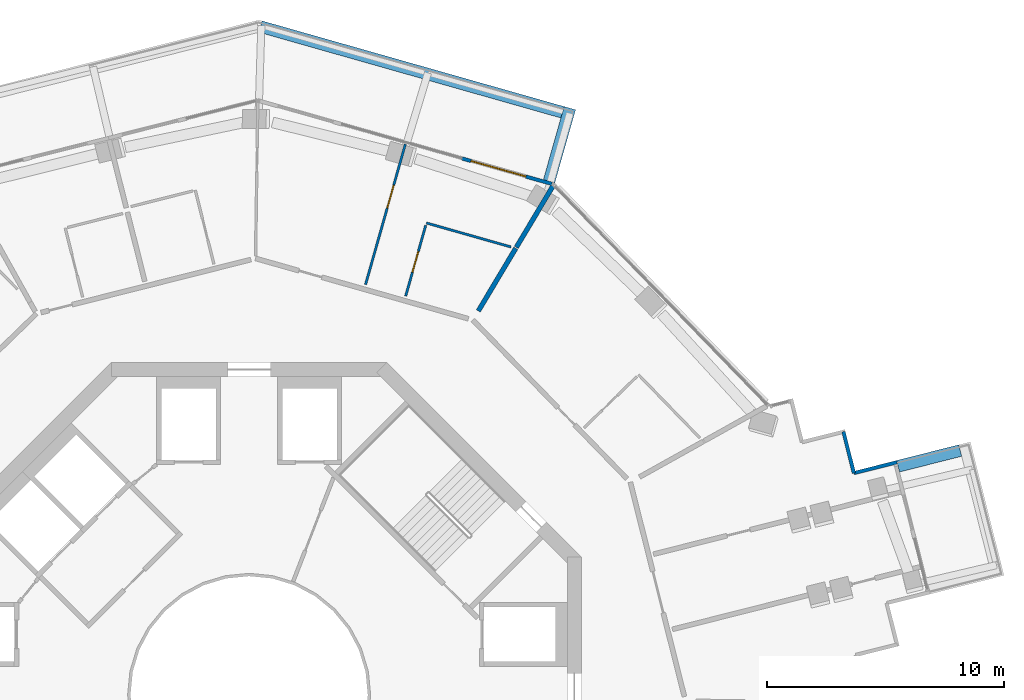
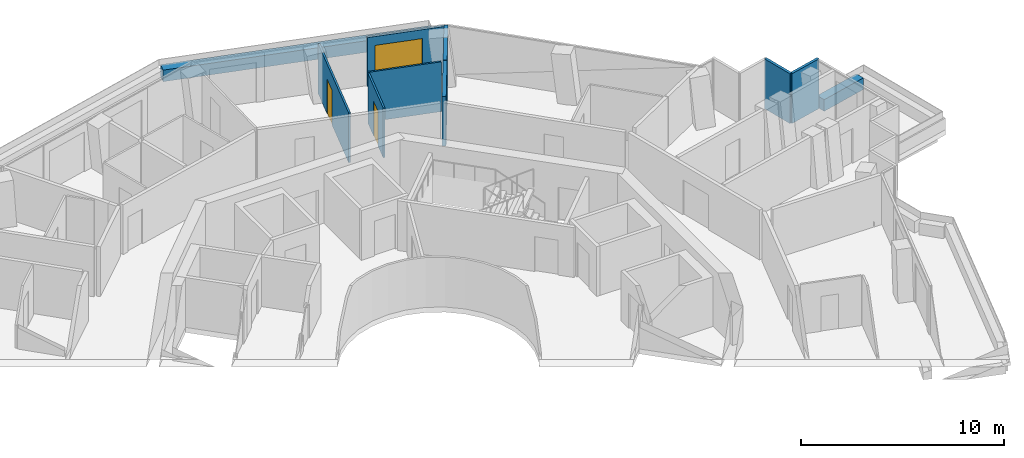
# One storey, part 21 of 24: 11 walls, 3 doors, 3 openings.
"""IFC4 building model written with IfcOpenShell, lengths in metres."""

from ifc_helpers import new_model, si_unit, direction, frame, frame_2d, origin, place, context, subcontext, project, spatial, rectangle, extrude, material, layer, layer_set, type_object, element, fill, save


model = new_model("IFC4")

# Units and contexts
model_context = context("Model", 3, precision=1e-05, world=origin(), true_north=direction((0.0, 1.0)))
body_context = subcontext(model_context, "Body", "Model", "MODEL_VIEW")
ifc_project = project(units=[si_unit("LENGTHUNIT", "METRE"), si_unit("AREAUNIT", "SQUARE_METRE"), si_unit("VOLUMEUNIT", "CUBIC_METRE"), si_unit("PLANEANGLEUNIT", "RADIAN"), si_unit("MASSUNIT", "GRAM", prefix="KILO")], contexts=[model_context])

# Site, building, storey
site_placement = place(None, origin())
site = spatial("IfcSite", under=ifc_project, at=site_placement, CompositionType="ELEMENT")
building_placement = place(site_placement, origin())
building = spatial("IfcBuilding", under=site, at=building_placement, Name="Verdalira Terraces Hotel", CompositionType="ELEMENT")
storey_placement = place(building_placement, frame((0.0, 0.0, 212.5)))
storey = spatial("IfcBuildingStorey", under=building, at=storey_placement, Name="L52", CompositionType="ELEMENT", Elevation=212.5)

# Walls
ifc_material_1 = material(Name="Concrete C40", Category="concrete")
ifc_layer_1 = layer(ifc_material_1, 0.5)
ifc_layer_set_1 = layer_set([ifc_layer_1], Name="Balcony planter trough with tree")
wall_type_1 = type_object("IfcWallType", Name="Balcony planter trough with tree", PredefinedType="SOLIDWALL", material=ifc_layer_set_1)
wall_1_placement = place(storey_placement, frame((29.951172, 10.289551, 0.0), z_axis=(0.0, 0.0, 1.0), x_axis=(-0.969624158, -0.244599657, 0.0)))
element("IfcWall", 1, at=wall_1_placement, inside=storey, type_object=wall_type_1, Name="Balcony planter", PredefinedType="SOLIDWALL", context=body_context, shape_type="SweptSolid", body=[
    extrude(rectangle(XDim=2.698975, YDim=0.5, at=frame_2d((1.349609, 0.0))), origin(), (0.0, 0.0, 1.0), 0.699951),
])
wall_2_placement = place(storey_placement, frame((12.634277, 21.63208, 0.0), z_axis=(0.0, 0.0, 1.0), x_axis=(0.272976962, 0.962020571, 0.0)))
element("IfcWall", 2, at=wall_2_placement, inside=storey, type_object=wall_type_1, Name="Balcony planter", PredefinedType="SOLIDWALL", context=body_context, shape_type="SweptSolid", body=[
    extrude(rectangle(XDim=3.199219, YDim=0.5, at=frame_2d((1.599609, 0.0))), origin(), (0.0, 0.0, 1.0), 0.699951),
])
wall_3_placement = place(storey_placement, frame((13.19873, 24.537354, 0.0), z_axis=(0.0, 0.0, 1.0), x_axis=(-0.962028122, 0.272950348, 0.0)))
element("IfcWall", 3, at=wall_3_placement, inside=storey, type_object=wall_type_1, Name="Balcony planter", PredefinedType="SOLIDWALL", context=body_context, shape_type="SweptSolid", body=[
    extrude(rectangle(XDim=13.223633, YDim=0.5, at=frame_2d((6.611816, 0.0))), origin(), (0.0, 0.0, 1.0), 0.699951),
])

# Wall, opening, door
ifc_material_2 = material(Name="Moisture-resistant gypsum board partition")
ifc_layer_2 = layer(ifc_material_2, 0.10009765625)
ifc_layer_set_2 = layer_set([ifc_layer_2], Name="Bathroom partition 100 mm")
wall_type_2 = type_object("IfcWallType", Name="Bathroom partition 100 mm", PredefinedType="PARTITIONING", material=ifc_layer_set_2)
wall_4_placement = place(storey_placement, frame((6.580322, 23.192871, 0.0), z_axis=(0.0, 0.0, 1.0), x_axis=(-0.272922263, -0.96203609, 0.0)))
wall_4 = element("IfcWall", 4, at=wall_4_placement, inside=storey, type_object=wall_type_2, Name="Bathroom partition", PredefinedType="PARTITIONING", context=body_context, shape_type="SweptSolid", body=[
    extrude(rectangle(XDim=6.149902, YDim=0.100098, at=frame_2d((3.074951, 0.0))), origin(), (0.0, 0.0, 1.0), 3.0),
])
opening_1_placement = place(wall_4_placement, frame((1.800049, 0.0, 0.0)))
opening_1 = element("IfcOpeningElement", 5, at=opening_1_placement, cuts=wall_4, Name="Opening L52-129", PredefinedType="OPENING", context=body_context, shape_type="SweptSolid", body=[
    extrude(rectangle(XDim=1.0, YDim=2.100098, at=frame_2d((0.5, 1.050049))), frame((0.0, 0.060059, 0.0), z_axis=(0.0, -1.0, 0.0), x_axis=(1.0, 0.0, 0.0)), (0.0, 0.0, 1.0), 0.120117),
])
ifc_material_3 = material(Name="Timber door", Category="wood")
door_type_1 = type_object("IfcDoorType", Name="Suite internal door 1000 x 2100", OperationType="NOTDEFINED", PredefinedType="DOOR", material=ifc_material_3)
door_1_placement = place(opening_1_placement, origin())
door_1 = element("IfcDoor", 6, at=door_1_placement, inside=storey, type_object=door_type_1, Name="Suite internal door 5212", OperationType="SINGLE_SWING_LEFT", OverallHeight=2.10009765625, OverallWidth=1.0, PredefinedType="DOOR", context=body_context, shape_type="SweptSolid", body=[
    extrude(rectangle(XDim=1.0, YDim=2.100098, at=frame_2d((0.5, 1.050049))), frame((0.0, 0.024902, 0.0), z_axis=(0.0, -1.0, 0.0), x_axis=(1.0, 0.0, 0.0)), (0.0, 0.0, 1.0), 0.050049),
])
fill(opening_1, door_1)

wall_5_placement = place(storey_placement, frame((7.439453, 19.778809, 0.0), z_axis=(0.0, 0.0, 1.0), x_axis=(-0.272952471, -0.96202752, 0.0)))
wall_5 = element("IfcWall", 7, at=wall_5_placement, inside=storey, type_object=wall_type_2, Name="Bathroom partition", PredefinedType="PARTITIONING", context=body_context, shape_type="SweptSolid", body=[
    extrude(rectangle(XDim=3.100098, YDim=0.100098, at=frame_2d((1.550049, 0.0))), origin(), (0.0, 0.0, 1.0), 3.0),
])
opening_2_placement = place(wall_5_placement, frame((1.149902, 0.0, 0.0)))
opening_2 = element("IfcOpeningElement", 8, at=opening_2_placement, cuts=wall_5, Name="Opening L52-131", PredefinedType="OPENING", context=body_context, shape_type="SweptSolid", body=[
    extrude(rectangle(XDim=0.899902, YDim=2.100098, at=frame_2d((0.449951, 1.050049))), frame((0.0, 0.060059, 0.0), z_axis=(0.0, -1.0, 0.0), x_axis=(1.0, 0.0, 0.0)), (0.0, 0.0, 1.0), 0.120117),
])
ifc_material_4 = material(Name="Timber door", Category="wood")
door_type_2 = type_object("IfcDoorType", Name="Bathroom door 900 x 2100", OperationType="NOTDEFINED", PredefinedType="DOOR", material=ifc_material_4)
door_2_placement = place(opening_2_placement, origin())
door_2 = element("IfcDoor", 9, at=door_2_placement, inside=storey, type_object=door_type_2, Name="Bathroom door 5212", OperationType="SINGLE_SWING_LEFT", OverallHeight=2.10009765625, OverallWidth=0.89990234375, PredefinedType="DOOR", context=body_context, shape_type="SweptSolid", body=[
    extrude(rectangle(XDim=0.899902, YDim=2.100098, at=frame_2d((0.449951, 1.050049))), frame((0.0, 0.024902, 0.0), z_axis=(0.0, -1.0, 0.0), x_axis=(1.0, 0.0, 0.0)), (0.0, 0.0, 1.0), 0.050049),
])
fill(opening_2, door_2)

# Walls
wall_6_placement = place(storey_placement, frame((11.030029, 18.864014, 0.0), z_axis=(0.0, 0.0, 1.0), x_axis=(-0.962027256, 0.2729534, 0.0)))
element("IfcWall", 10, at=wall_6_placement, inside=storey, type_object=wall_type_2, Name="Bathroom partition", PredefinedType="PARTITIONING", context=body_context, shape_type="SweptSolid", body=[
    extrude(rectangle(XDim=3.703857, YDim=0.100098, at=frame_2d((1.852051, 0.0))), origin(), (0.0, 0.0, 1.0), 3.0),
])
ifc_material_5 = material(Name="Fire-rated gypsum board wall")
ifc_layer_3 = layer(ifc_material_5, 0.199951171875)
ifc_layer_set_3 = layer_set([ifc_layer_3], Name="Demising wall 200 mm")
wall_type_3 = type_object("IfcWallType", Name="Demising wall 200 mm", PredefinedType="SOLIDWALL", material=ifc_layer_set_3)
wall_7_placement = place(storey_placement, frame((9.654053, 16.169189, 0.0), z_axis=(0.0, 0.0, 1.0), x_axis=(0.512637877, 0.858604919, 0.0)))
element("IfcWall", 11, at=wall_7_placement, inside=storey, type_object=wall_type_3, Name="Demising wall", PredefinedType="SOLIDWALL", context=body_context, shape_type="SweptSolid", body=[
    extrude(rectangle(XDim=3.074707, YDim=0.199951, at=frame_2d((1.537354, 0.0))), origin(), (0.0, 0.0, 1.0), 3.0),
])
wall_8_placement = place(storey_placement, frame((11.253906, 18.848633, 0.0), z_axis=(0.0, 0.0, 1.0), x_axis=(0.512646494, 0.858599774, 0.0)))
element("IfcWall", 12, at=wall_8_placement, inside=storey, type_object=wall_type_3, Name="Demising wall", PredefinedType="SOLIDWALL", context=body_context, shape_type="SweptSolid", body=[
    extrude(rectangle(XDim=3.01123, YDim=0.199951, at=frame_2d((1.505615, 0.0))), origin(), (0.0, 0.0, 1.0), 3.0),
])
ifc_material_6 = material(Name="Terracotta cladding", Category="masonry")
ifc_layer_4 = layer(ifc_material_6, 0.14990234375)
ifc_layer_set_4 = layer_set([ifc_layer_4], Name="Terracotta clad wall 150")
wall_type_4 = type_object("IfcWallType", Name="Terracotta clad wall 150", PredefinedType="SOLIDWALL", material=ifc_layer_set_4)
wall_9_placement = place(storey_placement, frame((27.290527, 9.798828, 0.0), z_axis=(0.0, 0.0, 1.0), x_axis=(-0.969611732, -0.244648911, 0.0)))
element("IfcWall", 13, at=wall_9_placement, inside=storey, type_object=wall_type_4, Name="Terracotta cladding wall", PredefinedType="SOLIDWALL", context=body_context, shape_type="SweptSolid", body=[
    extrude(rectangle(XDim=1.875, YDim=0.149902, at=frame_2d((0.9375, 0.0))), origin(), (0.0, 0.0, 1.0), 3.0),
])
wall_10_placement = place(storey_placement, frame((25.472412, 9.340088, 0.0), z_axis=(0.0, 0.0, 1.0), x_axis=(-0.244673174, 0.96960561, 0.0)))
element("IfcWall", 14, at=wall_10_placement, inside=storey, type_object=wall_type_4, Name="Terracotta cladding wall", PredefinedType="SOLIDWALL", context=body_context, shape_type="SweptSolid", body=[
    extrude(rectangle(XDim=1.800049, YDim=0.149902, at=frame_2d((0.899902, 0.0))), origin(), (0.0, 0.0, 1.0), 3.0),
])

# Wall, opening, door
ifc_material_7 = material(Name="Terracotta cladding", Category="masonry")
ifc_layer_5 = layer(ifc_material_7, 0.14990234375)
ifc_layer_set_5 = layer_set([ifc_layer_5], Name="Terracotta door pier 150")
wall_type_5 = type_object("IfcWallType", Name="Terracotta door pier 150", PredefinedType="SOLIDWALL", material=ifc_layer_set_5)
wall_11_placement = place(storey_placement, frame((12.757568, 21.518311, 0.0), z_axis=(0.0, 0.0, 1.0), x_axis=(-0.962033627, 0.272930945, 0.0)))
wall_11 = element("IfcWall", 15, at=wall_11_placement, inside=storey, type_object=wall_type_5, Name="Terracotta door pier", PredefinedType="SOLIDWALL", context=body_context, shape_type="SweptSolid", body=[
    extrude(rectangle(XDim=3.945801, YDim=0.149902, at=frame_2d((1.9729, 0.0))), origin(), (0.0, 0.0, 1.0), 2.935059),
])
opening_3_placement = place(wall_11_placement, frame((1.145996, 0.0, 0.0)))
opening_3 = element("IfcOpeningElement", 16, at=opening_3_placement, cuts=wall_11, Name="Opening L52-B11", PredefinedType="OPENING", context=body_context, shape_type="SweptSolid", body=[
    extrude(rectangle(XDim=2.399902, YDim=2.399902, at=frame_2d((1.199951, 1.199951))), frame((0.0, 0.084961, 0.0), z_axis=(0.0, -1.0, 0.0), x_axis=(1.0, 0.0, 0.0)), (0.0, 0.0, 1.0), 0.169922),
])
ifc_material_8 = material(Name="Clear glass", Category="glass")
door_type_3 = type_object("IfcDoorType", Name="Balcony sliding door 2400x2400", OperationType="NOTDEFINED", PredefinedType="DOOR", material=ifc_material_8)
door_3_placement = place(opening_3_placement, origin())
door_3 = element("IfcDoor", 17, at=door_3_placement, inside=storey, type_object=door_type_3, Name="Balcony sliding door", OperationType="SLIDING_TO_LEFT", OverallHeight=2.39990234375, OverallWidth=2.39990234375, PredefinedType="DOOR", context=body_context, shape_type="SweptSolid", body=[
    extrude(rectangle(XDim=2.399902, YDim=2.399902, at=frame_2d((1.199951, 1.199951))), frame((0.0, 0.024902, 0.0), z_axis=(0.0, -1.0, 0.0), x_axis=(1.0, 0.0, 0.0)), (0.0, 0.0, 1.0), 0.050049),
])
fill(opening_3, door_3)

save(model, "model.ifc")
